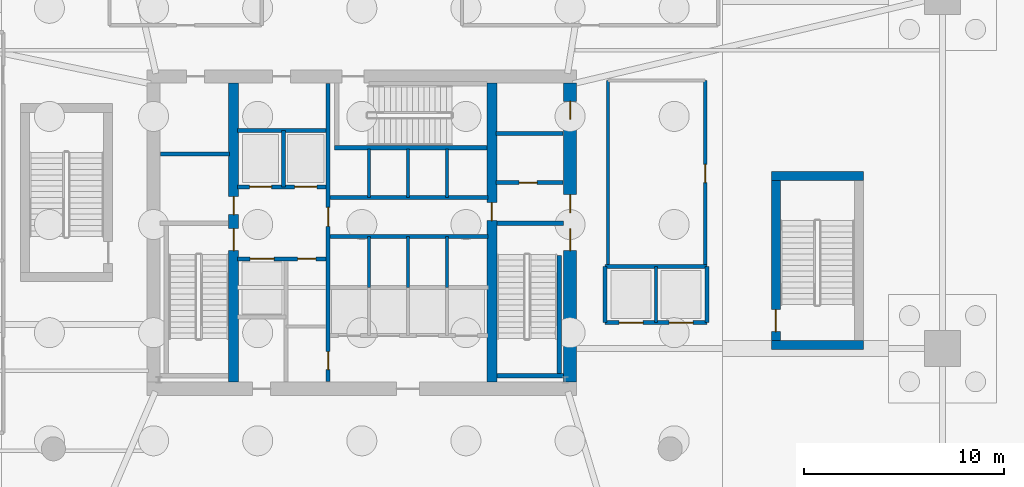
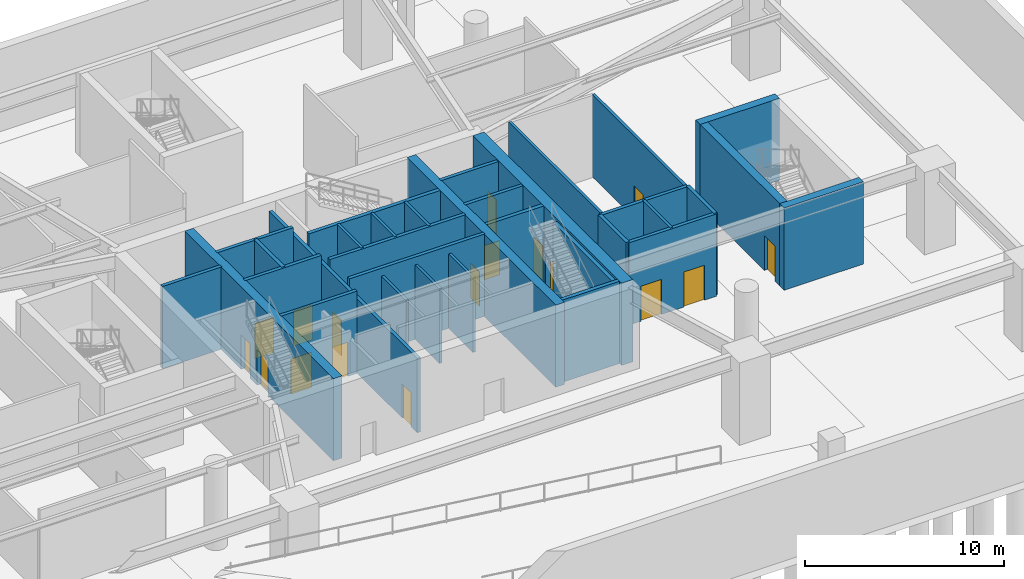
# One storey, part 6 of 11: 33 walls, 17 doors, 17 openings.
"""IFC4 building model written with IfcOpenShell, lengths in metres."""

from ifc_helpers import new_model, si_unit, direction, frame, frame_2d, origin, place, context, subcontext, project, spatial, rectangle, extrude, material, layer, layer_set, type_object, element, fill, save


model = new_model("IFC4")

# Units and contexts
model_context = context("Model", 3, precision=1e-05, world=origin(), true_north=direction((0.0, 1.0)))
body_context = subcontext(model_context, "Body", "Model", "MODEL_VIEW")
ifc_project = project(units=[si_unit("LENGTHUNIT", "METRE"), si_unit("AREAUNIT", "SQUARE_METRE"), si_unit("VOLUMEUNIT", "CUBIC_METRE"), si_unit("PLANEANGLEUNIT", "RADIAN"), si_unit("MASSUNIT", "GRAM", prefix="KILO")], contexts=[model_context])

# Site, building, storey
site_placement = place(None, origin())
site = spatial("IfcSite", under=ifc_project, at=site_placement, CompositionType="ELEMENT")
building_placement = place(site_placement, origin())
building = spatial("IfcBuilding", under=site, at=building_placement, Name="Qarnah Convention Tower", CompositionType="ELEMENT")
storey_placement = place(building_placement, frame((0.0, 0.0, -5.39990234375)))
storey = spatial("IfcBuildingStorey", under=building, at=storey_placement, Name="B1", CompositionType="ELEMENT", Elevation=-5.39990234375)

# Wall, openings, doors
ifc_material_1 = material(Name="Concrete C60/75", Category="concrete")
ifc_layer_1 = layer(ifc_material_1, 0.64990234375)
ifc_layer_set_1 = layer_set([ifc_layer_1], Name="Concrete C60/75")
wall_type_1 = type_object("IfcWallType", Name="WL-CORE-650", PredefinedType="SHEAR", material=ifc_layer_set_1)
wall_1_placement = place(storey_placement, frame((47.60009765625, 18.925048828125, 0.0), z_axis=(0.0, 0.0, 1.0), x_axis=(0.0, 1.0, 0.0)))
wall_1 = element("IfcWall", 1, at=wall_1_placement, inside=storey, type_object=wall_type_1, Name="B1 core east shear wall", PredefinedType="SHEAR", context=body_context, shape_type="SweptSolid", body=[
    extrude(rectangle(XDim=14.949951171875, YDim=0.64990234375, at=frame_2d((7.47509765625, 0.0))), origin(), (0.0, 0.0, 1.0), 5.0498046875),
])
opening_1_placement = place(wall_1_placement, frame((6.574951171875, 0.0, 0.0)))
opening_1 = element("IfcOpeningElement", 2, at=opening_1_placement, cuts=wall_1, Name="Opening D-B102", PredefinedType="OPENING", context=body_context, shape_type="SweptSolid", body=[
    extrude(rectangle(XDim=1.10009765625, YDim=2.14990234375, at=frame_2d((0.550048828125, 1.074951171875))), frame((0.0, 0.3349609375, 0.0), z_axis=(0.0, -1.0, 0.0), x_axis=(1.0, 0.0, 0.0)), (0.0, 0.0, 1.0), 0.669921875),
])
opening_2_placement = place(wall_1_placement, frame((8.47509765625, 0.0, 0.0)))
opening_2 = element("IfcOpeningElement", 3, at=opening_2_placement, cuts=wall_1, Name="Opening D-B106", PredefinedType="OPENING", context=body_context, shape_type="SweptSolid", body=[
    extrude(rectangle(XDim=0.89990234375, YDim=2.10009765625, at=frame_2d((0.449951171875, 1.050048828125))), frame((0.0, 0.3349609375, 0.0), z_axis=(0.0, -1.0, 0.0), x_axis=(1.0, 0.0, 0.0)), (0.0, 0.0, 1.0), 0.669921875),
])
opening_3_placement = place(wall_1_placement, frame((13.125, 0.0, 0.0)))
opening_3 = element("IfcOpeningElement", 4, at=opening_3_placement, cuts=wall_1, Name="Opening D-B112", PredefinedType="OPENING", context=body_context, shape_type="SweptSolid", body=[
    extrude(rectangle(XDim=0.89990234375, YDim=2.10009765625, at=frame_2d((0.449951171875, 1.050048828125))), frame((0.0, 0.3349609375, 0.0), z_axis=(0.0, -1.0, 0.0), x_axis=(1.0, 0.0, 0.0)), (0.0, 0.0, 1.0), 0.669921875),
])
ifc_material_2 = material(Name="Structural steel S355JR", Category="steel")
door_type_1 = type_object("IfcDoorType", Name="DT-RISER-900", OperationType="NOTDEFINED", PredefinedType="DOOR", material=ifc_material_2)
door_1_placement = place(opening_2_placement, origin())
door_1 = element("IfcDoor", 5, at=door_1_placement, inside=storey, type_object=door_type_1, Name="Door D-B106", OperationType="SINGLE_SWING_RIGHT", OverallHeight=2.10009765625, OverallWidth=0.89990234375, PredefinedType="DOOR", context=body_context, shape_type="SweptSolid", body=[
    extrude(rectangle(XDim=0.89990234375, YDim=2.10009765625, at=frame_2d((0.449951171875, 1.050048828125))), frame((0.0, 0.02490234375, 0.0), z_axis=(0.0, -1.0, 0.0), x_axis=(1.0, 0.0, 0.0)), (0.0, 0.0, 1.0), 0.050048828125),
])
fill(opening_2, door_1)
door_2_placement = place(opening_3_placement, origin())
door_2 = element("IfcDoor", 6, at=door_2_placement, inside=storey, type_object=door_type_1, Name="Door D-B112", OperationType="SINGLE_SWING_RIGHT", OverallHeight=2.10009765625, OverallWidth=0.89990234375, PredefinedType="DOOR", context=body_context, shape_type="SweptSolid", body=[
    extrude(rectangle(XDim=0.89990234375, YDim=2.10009765625, at=frame_2d((0.449951171875, 1.050048828125))), frame((0.0, 0.02490234375, 0.0), z_axis=(0.0, -1.0, 0.0), x_axis=(1.0, 0.0, 0.0)), (0.0, 0.0, 1.0), 0.050048828125),
])
fill(opening_3, door_2)
door_type_2 = type_object("IfcDoorType", Name="DT-STAIR-1100", OperationType="NOTDEFINED", PredefinedType="DOOR", material=ifc_material_2)
door_3_placement = place(opening_1_placement, origin())
door_3 = element("IfcDoor", 7, at=door_3_placement, inside=storey, type_object=door_type_2, Name="Door D-B102", OperationType="SINGLE_SWING_RIGHT", OverallHeight=2.14990234375, OverallWidth=1.10009765625, PredefinedType="DOOR", context=body_context, shape_type="SweptSolid", body=[
    extrude(rectangle(XDim=1.10009765625, YDim=2.14990234375, at=frame_2d((0.550048828125, 1.074951171875))), frame((0.0, 0.02490234375, 0.0), z_axis=(0.0, -1.0, 0.0), x_axis=(1.0, 0.0, 0.0)), (0.0, 0.0, 1.0), 0.050048828125),
])
fill(opening_1, door_3)

ifc_layer_2 = layer(ifc_material_1, 0.5)
ifc_layer_set_2 = layer_set([ifc_layer_2], Name="Concrete C60/75")
wall_type_2 = type_object("IfcWallType", Name="WL-CORE-INT-400", PredefinedType="SHEAR", material=ifc_layer_set_2)
wall_2_placement = place(storey_placement, frame((30.800048828125, 18.925048828125, 0.0), z_axis=(0.0, 0.0, 1.0), x_axis=(0.0, 1.0, 0.0)))
wall_2 = element("IfcWall", 8, at=wall_2_placement, inside=storey, type_object=wall_type_2, Name="B1 core west spine shear wall", PredefinedType="SHEAR", context=body_context, shape_type="SweptSolid", body=[
    extrude(rectangle(XDim=14.949951171875, YDim=0.5, at=frame_2d((7.47509765625, 0.0))), origin(), (0.0, 0.0, 1.0), 5.0498046875),
])
opening_4_placement = place(wall_2_placement, frame((6.574951171875, 0.0, 0.0)))
opening_4 = element("IfcOpeningElement", 9, at=opening_4_placement, cuts=wall_2, Name="Opening D-B101", PredefinedType="OPENING", context=body_context, shape_type="SweptSolid", body=[
    extrude(rectangle(XDim=1.10009765625, YDim=2.14990234375, at=frame_2d((0.550048828125, 1.074951171875))), frame((0.0, 0.260009765625, 0.0), z_axis=(0.0, -1.0, 0.0), x_axis=(1.0, 0.0, 0.0)), (0.0, 0.0, 1.0), 0.52001953125),
])
opening_5_placement = place(wall_2_placement, frame((8.375, 0.0, 0.0)))
opening_5 = element("IfcOpeningElement", 10, at=opening_5_placement, cuts=wall_2, Name="Opening D-B108", PredefinedType="OPENING", context=body_context, shape_type="SweptSolid", body=[
    extrude(rectangle(XDim=0.89990234375, YDim=2.10009765625, at=frame_2d((0.449951171875, 1.050048828125))), frame((0.0, 0.260009765625, 0.0), z_axis=(0.0, -1.0, 0.0), x_axis=(1.0, 0.0, 0.0)), (0.0, 0.0, 1.0), 0.52001953125),
])
door_4_placement = place(opening_5_placement, origin())
door_4 = element("IfcDoor", 11, at=door_4_placement, inside=storey, type_object=door_type_1, Name="Door D-B108", OperationType="SINGLE_SWING_RIGHT", OverallHeight=2.10009765625, OverallWidth=0.89990234375, PredefinedType="DOOR", context=body_context, shape_type="SweptSolid", body=[
    extrude(rectangle(XDim=0.89990234375, YDim=2.10009765625, at=frame_2d((0.449951171875, 1.050048828125))), frame((0.0, 0.02490234375, 0.0), z_axis=(0.0, -1.0, 0.0), x_axis=(1.0, 0.0, 0.0)), (0.0, 0.0, 1.0), 0.050048828125),
])
fill(opening_5, door_4)
door_5_placement = place(opening_4_placement, origin())
door_5 = element("IfcDoor", 12, at=door_5_placement, inside=storey, type_object=door_type_2, Name="Door D-B101", OperationType="SINGLE_SWING_LEFT", OverallHeight=2.14990234375, OverallWidth=1.10009765625, PredefinedType="DOOR", context=body_context, shape_type="SweptSolid", body=[
    extrude(rectangle(XDim=1.10009765625, YDim=2.14990234375, at=frame_2d((0.550048828125, 1.074951171875))), frame((0.0, 0.02490234375, 0.0), z_axis=(0.0, -1.0, 0.0), x_axis=(1.0, 0.0, 0.0)), (0.0, 0.0, 1.0), 0.050048828125),
])
fill(opening_4, door_5)

# Wall, opening, door
wall_3_placement = place(storey_placement, frame((43.699951171875, 18.925048828125, 0.0), z_axis=(0.0, 0.0, 1.0), x_axis=(0.0, 1.0, 0.0)))
wall_3 = element("IfcWall", 13, at=wall_3_placement, inside=storey, type_object=wall_type_2, Name="B1 core east spine shear wall", PredefinedType="SHEAR", context=body_context, shape_type="SweptSolid", body=[
    extrude(rectangle(XDim=14.949951171875, YDim=0.5, at=frame_2d((7.47509765625, 0.0))), origin(), (0.0, 0.0, 1.0), 5.0498046875),
])
opening_6_placement = place(wall_3_placement, frame((8.074951171875, 0.0, 0.0)))
opening_6 = element("IfcOpeningElement", 14, at=opening_6_placement, cuts=wall_3, Name="Opening D-B105", PredefinedType="OPENING", context=body_context, shape_type="SweptSolid", body=[
    extrude(rectangle(XDim=0.89990234375, YDim=2.10009765625, at=frame_2d((0.449951171875, 1.050048828125))), frame((0.0, 0.260009765625, 0.0), z_axis=(0.0, -1.0, 0.0), x_axis=(1.0, 0.0, 0.0)), (0.0, 0.0, 1.0), 0.52001953125),
])
door_6_placement = place(opening_6_placement, origin())
door_6 = element("IfcDoor", 15, at=door_6_placement, inside=storey, type_object=door_type_1, Name="Door D-B105", OperationType="SINGLE_SWING_LEFT", OverallHeight=2.10009765625, OverallWidth=0.89990234375, PredefinedType="DOOR", context=body_context, shape_type="SweptSolid", body=[
    extrude(rectangle(XDim=0.89990234375, YDim=2.10009765625, at=frame_2d((0.449951171875, 1.050048828125))), frame((0.0, 0.02490234375, 0.0), z_axis=(0.0, -1.0, 0.0), x_axis=(1.0, 0.0, 0.0)), (0.0, 0.0, 1.0), 0.050048828125),
])
fill(opening_6, door_6)

# Wall
ifc_material_3 = material(Name="Concrete C45/55", Category="concrete")
ifc_layer_3 = layer(ifc_material_3, 0.199951171875)
ifc_layer_set_3 = layer_set([ifc_layer_3], Name="Concrete C45/55")
wall_type_3 = type_object("IfcWallType", Name="WL-CORE-PART-200", PredefinedType="SOLIDWALL", material=ifc_layer_set_3)
wall_4_placement = place(storey_placement, frame((27.14990234375, 30.320068359375, 0.0), z_axis=(0.0, 0.0, 1.0), x_axis=(1.0, 0.0, 0.0)))
element("IfcWall", 16, at=wall_4_placement, inside=storey, type_object=wall_type_3, Name="B1 interior wall IW-B1-ELRN", PredefinedType="SOLIDWALL", context=body_context, shape_type="SweptSolid", body=[
    extrude(rectangle(XDim=3.4501953125, YDim=0.199951171875, at=frame_2d((1.72509765625, 0.0))), origin(), (0.0, 0.0, 1.0), 5.0498046875),
])

# Wall, opening, door
wall_5_placement = place(storey_placement, frame((43.89990234375, 28.89990234375, 0.0), z_axis=(0.0, 0.0, 1.0), x_axis=(1.0, 0.0, 0.0)))
wall_5 = element("IfcWall", 17, at=wall_5_placement, inside=storey, type_object=wall_type_3, Name="B1 interior wall IW-B1-EVSTN", PredefinedType="SOLIDWALL", context=body_context, shape_type="SweptSolid", body=[
    extrude(rectangle(XDim=3.35009765625, YDim=0.199951171875, at=frame_2d((1.675048828125, 0.0))), origin(), (0.0, 0.0, 1.0), 5.0498046875),
])
opening_7_placement = place(wall_5_placement, frame((1.14990234375, 0.0, 0.0)))
opening_7 = element("IfcOpeningElement", 18, at=opening_7_placement, cuts=wall_5, Name="Opening D-B111", PredefinedType="OPENING", context=body_context, shape_type="SweptSolid", body=[
    extrude(rectangle(XDim=0.89990234375, YDim=2.10009765625, at=frame_2d((0.449951171875, 1.050048828125))), frame((0.0, 0.10986328125, 0.0), z_axis=(0.0, -1.0, 0.0), x_axis=(1.0, 0.0, 0.0)), (0.0, 0.0, 1.0), 0.219970703125),
])
door_7_placement = place(opening_7_placement, origin())
door_7 = element("IfcDoor", 19, at=door_7_placement, inside=storey, type_object=door_type_1, Name="Door D-B111", OperationType="SINGLE_SWING_LEFT", OverallHeight=2.10009765625, OverallWidth=0.89990234375, PredefinedType="DOOR", context=body_context, shape_type="SweptSolid", body=[
    extrude(rectangle(XDim=0.89990234375, YDim=2.10009765625, at=frame_2d((0.449951171875, 1.050048828125))), frame((0.0, 0.02490234375, 0.0), z_axis=(0.0, -1.0, 0.0), x_axis=(1.0, 0.0, 0.0)), (0.0, 0.0, 1.0), 0.050048828125),
])
fill(opening_7, door_7)

# Wall
wall_6_placement = place(storey_placement, frame((43.89990234375, 31.35009765625, 0.0), z_axis=(0.0, 0.0, 1.0), x_axis=(1.0, 0.0, 0.0)))
element("IfcWall", 20, at=wall_6_placement, inside=storey, type_object=wall_type_3, Name="B1 interior wall IW-B1-WTRN", PredefinedType="SOLIDWALL", context=body_context, shape_type="SweptSolid", body=[
    extrude(rectangle(XDim=3.35009765625, YDim=0.199951171875, at=frame_2d((1.675048828125, 0.0))), origin(), (0.0, 0.0, 1.0), 5.0498046875),
])

# Wall, openings, doors
wall_7_placement = place(storey_placement, frame((35.52001953125, 18.949951171875, 0.0), z_axis=(0.0, 0.0, 1.0), x_axis=(0.0, 1.0, 0.0)))
wall_7 = element("IfcWall", 21, at=wall_7_placement, inside=storey, type_object=wall_type_3, Name="B1 interior wall IW-B1-CSP", PredefinedType="SOLIDWALL", context=body_context, shape_type="SweptSolid", body=[
    extrude(rectangle(XDim=14.900146484375, YDim=0.199951171875, at=frame_2d((7.4501953125, 0.0))), origin(), (0.0, 0.0, 1.0), 4.57080078125),
])
opening_8_placement = place(wall_7_placement, frame((7.7548828125, 0.0, 0.0)))
opening_8 = element("IfcOpeningElement", 22, at=opening_8_placement, cuts=wall_7, Name="Opening D-B104", PredefinedType="OPENING", context=body_context, shape_type="SweptSolid", body=[
    extrude(rectangle(XDim=0.949951171875, YDim=2.14990234375, at=frame_2d((0.47509765625, 1.074951171875))), frame((0.0, 0.10986328125, 0.0), z_axis=(0.0, -1.0, 0.0), x_axis=(1.0, 0.0, 0.0)), (0.0, 0.0, 1.0), 0.219970703125),
])
opening_9_placement = place(wall_7_placement, frame((0.60009765625, 0.0, 0.0)))
opening_9 = element("IfcOpeningElement", 23, at=opening_9_placement, cuts=wall_7, Name="Opening D-B114", PredefinedType="OPENING", context=body_context, shape_type="SweptSolid", body=[
    extrude(rectangle(XDim=0.89990234375, YDim=2.10009765625, at=frame_2d((0.449951171875, 1.050048828125))), frame((0.0, 0.10986328125, 0.0), z_axis=(0.0, -1.0, 0.0), x_axis=(1.0, 0.0, 0.0)), (0.0, 0.0, 1.0), 0.219970703125),
])
ifc_material_4 = material(Name="Oak timber veneer", Category="wood")
door_type_3 = type_object("IfcDoorType", Name="DT-HOTEL-950", OperationType="NOTDEFINED", PredefinedType="DOOR", material=ifc_material_4)
door_8_placement = place(opening_8_placement, origin())
door_8 = element("IfcDoor", 24, at=door_8_placement, inside=storey, type_object=door_type_3, Name="Door D-B104", OperationType="SINGLE_SWING_RIGHT", OverallHeight=2.14990234375, OverallWidth=0.949951171875, PredefinedType="DOOR", context=body_context, shape_type="SweptSolid", body=[
    extrude(rectangle(XDim=0.949951171875, YDim=2.14990234375, at=frame_2d((0.47509765625, 1.074951171875))), frame((0.0, 0.02490234375, 0.0), z_axis=(0.0, -1.0, 0.0), x_axis=(1.0, 0.0, 0.0)), (0.0, 0.0, 1.0), 0.050048828125),
])
fill(opening_8, door_8)
door_9_placement = place(opening_9_placement, origin())
door_9 = element("IfcDoor", 25, at=door_9_placement, inside=storey, type_object=door_type_1, Name="Door D-B114", OperationType="SINGLE_SWING_RIGHT", OverallHeight=2.10009765625, OverallWidth=0.89990234375, PredefinedType="DOOR", context=body_context, shape_type="SweptSolid", body=[
    extrude(rectangle(XDim=0.89990234375, YDim=2.10009765625, at=frame_2d((0.449951171875, 1.050048828125))), frame((0.0, 0.02490234375, 0.0), z_axis=(0.0, -1.0, 0.0), x_axis=(1.0, 0.0, 0.0)), (0.0, 0.0, 1.0), 0.050048828125),
])
fill(opening_9, door_9)

wall_8_placement = place(storey_placement, frame((31.0, 28.679931640625, 0.0), z_axis=(0.0, 0.0, 1.0), x_axis=(1.0, 0.0, 0.0)))
wall_8 = element("IfcWall", 26, at=wall_8_placement, inside=storey, type_object=wall_type_3, Name="B1 interior wall IW-B1-FFLS", PredefinedType="SOLIDWALL", context=body_context, shape_type="SweptSolid", body=[
    extrude(rectangle(XDim=4.419921875, YDim=0.199951171875, at=frame_2d((2.2099609375, 0.0))), origin(), (0.0, 0.0, 1.0), 5.0498046875),
])
opening_10_placement = place(wall_8_placement, frame((0.60009765625, 0.0, 0.0)))
opening_10 = element("IfcOpeningElement", 27, at=opening_10_placement, cuts=wall_8, Name="Opening LD-B101", PredefinedType="OPENING", context=body_context, shape_type="SweptSolid", body=[
    extrude(rectangle(XDim=1.10009765625, YDim=2.14990234375, at=frame_2d((0.550048828125, 1.074951171875))), frame((0.0, 0.10986328125, 0.0), z_axis=(0.0, -1.0, 0.0), x_axis=(1.0, 0.0, 0.0)), (0.0, 0.0, 1.0), 0.219970703125),
])
opening_11_placement = place(wall_8_placement, frame((2.85009765625, 0.0, 0.0)))
opening_11 = element("IfcOpeningElement", 28, at=opening_11_placement, cuts=wall_8, Name="Opening LD-B102", PredefinedType="OPENING", context=body_context, shape_type="SweptSolid", body=[
    extrude(rectangle(XDim=1.10009765625, YDim=2.14990234375, at=frame_2d((0.550048828125, 1.074951171875))), frame((0.0, 0.10986328125, 0.0), z_axis=(0.0, -1.0, 0.0), x_axis=(1.0, 0.0, 0.0)), (0.0, 0.0, 1.0), 0.219970703125),
])
door_type_4 = type_object("IfcDoorType", Name="DT-LIFT-1100", OperationType="SLIDING_TO_LEFT", PredefinedType="DOOR", material=ifc_material_2)
door_10_placement = place(opening_10_placement, origin())
door_10 = element("IfcDoor", 29, at=door_10_placement, inside=storey, type_object=door_type_4, Name="Door LD-B101", OperationType="SLIDING_TO_LEFT", OverallHeight=2.14990234375, OverallWidth=1.10009765625, PredefinedType="DOOR", context=body_context, shape_type="SweptSolid", body=[
    extrude(rectangle(XDim=1.10009765625, YDim=2.14990234375, at=frame_2d((0.550048828125, 1.074951171875))), frame((0.0, 0.02490234375, 0.0), z_axis=(0.0, -1.0, 0.0), x_axis=(1.0, 0.0, 0.0)), (0.0, 0.0, 1.0), 0.050048828125),
])
fill(opening_10, door_10)
door_11_placement = place(opening_11_placement, origin())
door_11 = element("IfcDoor", 30, at=door_11_placement, inside=storey, type_object=door_type_4, Name="Door LD-B102", OperationType="SLIDING_TO_LEFT", OverallHeight=2.14990234375, OverallWidth=1.10009765625, PredefinedType="DOOR", context=body_context, shape_type="SweptSolid", body=[
    extrude(rectangle(XDim=1.10009765625, YDim=2.14990234375, at=frame_2d((0.550048828125, 1.074951171875))), frame((0.0, 0.02490234375, 0.0), z_axis=(0.0, -1.0, 0.0), x_axis=(1.0, 0.0, 0.0)), (0.0, 0.0, 1.0), 0.050048828125),
])
fill(opening_11, door_11)

# Walls
wall_9_placement = place(storey_placement, frame((31.0, 31.5, 0.0), z_axis=(0.0, 0.0, 1.0), x_axis=(1.0, 0.0, 0.0)))
element("IfcWall", 31, at=wall_9_placement, inside=storey, type_object=wall_type_3, Name="B1 interior wall IW-B1-FFLN", PredefinedType="SOLIDWALL", context=body_context, shape_type="SweptSolid", body=[
    extrude(rectangle(XDim=4.419921875, YDim=0.199951171875, at=frame_2d((2.2099609375, 0.0))), origin(), (0.0, 0.0, 1.0), 5.0498046875),
])
wall_10_placement = place(storey_placement, frame((33.280029296875, 28.679931640625, 0.0), z_axis=(0.0, 0.0, 1.0), x_axis=(0.0, 1.0, 0.0)))
element("IfcWall", 32, at=wall_10_placement, inside=storey, type_object=wall_type_3, Name="B1 interior wall IW-B1-FFLM", PredefinedType="SOLIDWALL", context=body_context, shape_type="SweptSolid", body=[
    extrude(rectangle(XDim=2.820068359375, YDim=0.199951171875, at=frame_2d((1.41015625, 0.0))), origin(), (0.0, 0.0, 1.0), 5.0498046875),
])

# Wall, openings, doors
wall_11_placement = place(storey_placement, frame((31.0, 25.080078125, 0.0), z_axis=(0.0, 0.0, 1.0), x_axis=(1.0, 0.0, 0.0)))
wall_11 = element("IfcWall", 33, at=wall_11_placement, inside=storey, type_object=wall_type_3, Name="B1 interior wall IW-B1-FFLBS", PredefinedType="SOLIDWALL", context=body_context, shape_type="SweptSolid", body=[
    extrude(rectangle(XDim=4.419921875, YDim=0.199951171875, at=frame_2d((2.2099609375, 0.0))), origin(), (0.0, 0.0, 1.0), 5.0498046875),
])
opening_12_placement = place(wall_11_placement, frame((3.0, 0.0, 0.0)))
opening_12 = element("IfcOpeningElement", 34, at=opening_12_placement, cuts=wall_11, Name="Opening D-B115", PredefinedType="OPENING", context=body_context, shape_type="SweptSolid", body=[
    extrude(rectangle(XDim=0.89990234375, YDim=2.10009765625, at=frame_2d((0.449951171875, 1.050048828125))), frame((0.0, 0.10986328125, 0.0), z_axis=(0.0, -1.0, 0.0), x_axis=(1.0, 0.0, 0.0)), (0.0, 0.0, 1.0), 0.219970703125),
])
opening_13_placement = place(wall_11_placement, frame((0.6201171875, 0.0, 0.0)))
opening_13 = element("IfcOpeningElement", 35, at=opening_13_placement, cuts=wall_11, Name="Opening LD-B103", PredefinedType="OPENING", context=body_context, shape_type="SweptSolid", body=[
    extrude(rectangle(XDim=1.199951171875, YDim=2.14990234375, at=frame_2d((0.60009765625, 1.074951171875))), frame((0.0, 0.10986328125, 0.0), z_axis=(0.0, -1.0, 0.0), x_axis=(1.0, 0.0, 0.0)), (0.0, 0.0, 1.0), 0.219970703125),
])
door_type_5 = type_object("IfcDoorType", Name="DT-LIFT-1200", OperationType="SLIDING_TO_LEFT", PredefinedType="DOOR", material=ifc_material_2)
door_12_placement = place(opening_13_placement, origin())
door_12 = element("IfcDoor", 36, at=door_12_placement, inside=storey, type_object=door_type_5, Name="Door LD-B103", OperationType="SLIDING_TO_LEFT", OverallHeight=2.14990234375, OverallWidth=1.199951171875, PredefinedType="DOOR", context=body_context, shape_type="SweptSolid", body=[
    extrude(rectangle(XDim=1.199951171875, YDim=2.14990234375, at=frame_2d((0.60009765625, 1.074951171875))), frame((0.0, 0.02490234375, 0.0), z_axis=(0.0, -1.0, 0.0), x_axis=(1.0, 0.0, 0.0)), (0.0, 0.0, 1.0), 0.050048828125),
])
fill(opening_13, door_12)
door_13_placement = place(opening_12_placement, origin())
door_13 = element("IfcDoor", 37, at=door_13_placement, inside=storey, type_object=door_type_1, Name="Door D-B115", OperationType="SINGLE_SWING_LEFT", OverallHeight=2.10009765625, OverallWidth=0.89990234375, PredefinedType="DOOR", context=body_context, shape_type="SweptSolid", body=[
    extrude(rectangle(XDim=0.89990234375, YDim=2.10009765625, at=frame_2d((0.449951171875, 1.050048828125))), frame((0.0, 0.02490234375, 0.0), z_axis=(0.0, -1.0, 0.0), x_axis=(1.0, 0.0, 0.0)), (0.0, 0.0, 1.0), 0.050048828125),
])
fill(opening_12, door_13)

# Walls
for number, where, z_axis, x_axis, name in (
    (38, (35.6201171875, 28.14990234375, 0.0), (0.0, 0.0, 1.0), (1.0, 0.0, 0.0), "B1 interior wall IW-B1-PHS"),
    (39, (35.6201171875, 26.199951171875, 0.0), (0.0, 0.0, 1.0), (1.0, 0.0, 0.0), "B1 interior wall IW-B1-PMN"),
):
    element("IfcWall", number, at=place(storey_placement, frame(where, z_axis=z_axis, x_axis=x_axis)), inside=storey, type_object=wall_type_3, Name=name, PredefinedType="SOLIDWALL", context=body_context, shape_type="SweptSolid", body=[
        extrude(rectangle(XDim=7.8798828125, YDim=0.199951171875, at=frame_2d((3.93994140625, 0.0))), origin(), (0.0, 0.0, 1.0), 5.0498046875),
    ])
wall_12_placement = place(storey_placement, frame((49.35009765625, 24.699951171875, 0.0), z_axis=(0.0, 0.0, 1.0), x_axis=(1.0, 0.0, 0.0)))
element("IfcWall", 40, at=wall_12_placement, inside=storey, type_object=wall_type_3, Name="B1 interior wall IW-B1-PSN", PredefinedType="SOLIDWALL", context=body_context, shape_type="SweptSolid", body=[
    extrude(rectangle(XDim=5.099853515625, YDim=0.199951171875, at=frame_2d((2.5498046875, 0.0))), origin(), (0.0, 0.0, 1.0), 5.0498046875),
])

# Wall, openings, doors
wall_13_placement = place(storey_placement, frame((49.35009765625, 21.89990234375, 0.0), z_axis=(0.0, 0.0, 1.0), x_axis=(1.0, 0.0, 0.0)))
wall_13 = element("IfcWall", 41, at=wall_13_placement, inside=storey, type_object=wall_type_3, Name="B1 interior wall IW-B1-PSS", PredefinedType="SOLIDWALL", context=body_context, shape_type="SweptSolid", body=[
    extrude(rectangle(XDim=5.099853515625, YDim=0.199951171875, at=frame_2d((2.5498046875, 0.0))), origin(), (0.0, 0.0, 1.0), 5.0498046875),
])
opening_14_placement = place(wall_13_placement, frame((0.699951171875, 0.0, 0.0)))
opening_14 = element("IfcOpeningElement", 42, at=opening_14_placement, cuts=wall_13, Name="Opening LD-B108", PredefinedType="OPENING", context=body_context, shape_type="SweptSolid", body=[
    extrude(rectangle(XDim=1.199951171875, YDim=2.14990234375, at=frame_2d((0.60009765625, 1.074951171875))), frame((0.0, 0.10986328125, 0.0), z_axis=(0.0, -1.0, 0.0), x_axis=(1.0, 0.0, 0.0)), (0.0, 0.0, 1.0), 0.219970703125),
])
opening_15_placement = place(wall_13_placement, frame((3.199951171875, 0.0, 0.0)))
opening_15 = element("IfcOpeningElement", 43, at=opening_15_placement, cuts=wall_13, Name="Opening LD-B109", PredefinedType="OPENING", context=body_context, shape_type="SweptSolid", body=[
    extrude(rectangle(XDim=1.199951171875, YDim=2.14990234375, at=frame_2d((0.60009765625, 1.074951171875))), frame((0.0, 0.10986328125, 0.0), z_axis=(0.0, -1.0, 0.0), x_axis=(1.0, 0.0, 0.0)), (0.0, 0.0, 1.0), 0.219970703125),
])
door_14_placement = place(opening_14_placement, origin())
door_14 = element("IfcDoor", 44, at=door_14_placement, inside=storey, type_object=door_type_5, Name="Door LD-B108", OperationType="SLIDING_TO_LEFT", OverallHeight=2.14990234375, OverallWidth=1.199951171875, PredefinedType="DOOR", context=body_context, shape_type="SweptSolid", body=[
    extrude(rectangle(XDim=1.199951171875, YDim=2.14990234375, at=frame_2d((0.60009765625, 1.074951171875))), frame((0.0, 0.02490234375, 0.0), z_axis=(0.0, -1.0, 0.0), x_axis=(1.0, 0.0, 0.0)), (0.0, 0.0, 1.0), 0.050048828125),
])
fill(opening_14, door_14)
door_15_placement = place(opening_15_placement, origin())
door_15 = element("IfcDoor", 45, at=door_15_placement, inside=storey, type_object=door_type_5, Name="Door LD-B109", OperationType="SLIDING_TO_LEFT", OverallHeight=2.14990234375, OverallWidth=1.199951171875, PredefinedType="DOOR", context=body_context, shape_type="SweptSolid", body=[
    extrude(rectangle(XDim=1.199951171875, YDim=2.14990234375, at=frame_2d((0.60009765625, 1.074951171875))), frame((0.0, 0.02490234375, 0.0), z_axis=(0.0, -1.0, 0.0), x_axis=(1.0, 0.0, 0.0)), (0.0, 0.0, 1.0), 0.050048828125),
])
fill(opening_15, door_15)

# Walls
for number, where, z_axis, x_axis, name in (
    (46, (49.35009765625, 21.89990234375, 0.0), (0.0, 0.0, 1.0), (0.0, 1.0, 0.0), "B1 interior wall IW-B1-PSW"),
    (47, (54.449951171875, 21.89990234375, 0.0), (0.0, 0.0, 1.0), (0.0, 1.0, 0.0), "B1 interior wall IW-B1-PSE"),
):
    element("IfcWall", number, at=place(storey_placement, frame(where, z_axis=z_axis, x_axis=x_axis)), inside=storey, type_object=wall_type_3, Name=name, PredefinedType="SOLIDWALL", context=body_context, shape_type="SweptSolid", body=[
        extrude(rectangle(XDim=2.800048828125, YDim=0.199951171875, at=frame_2d((1.39990234375, 0.0))), origin(), (0.0, 0.0, 1.0), 5.0498046875),
    ])
ifc_layer_4 = layer(ifc_material_1, 0.219970703125)
ifc_layer_set_4 = layer_set([ifc_layer_4], Name="Concrete C60/75")
wall_type_4 = type_object("IfcWallType", Name="WL-CORE-STAIR-220", PredefinedType="SHEAR", material=ifc_layer_set_4)
wall_14_placement = place(storey_placement, frame((43.949951171875, 26.860107421875, 0.0), z_axis=(0.0, 0.0, 1.0), x_axis=(1.0, 0.0, 0.0)))
element("IfcWall", 48, at=wall_14_placement, inside=storey, type_object=wall_type_4, Name="B1 stair shaft shear wall SW-B1-ST2N", PredefinedType="SHEAR", context=body_context, shape_type="SweptSolid", body=[
    extrude(rectangle(XDim=3.324951171875, YDim=0.219970703125, at=frame_2d((1.66259765625, 0.0))), origin(), (0.0, 0.0, 1.0), 5.0498046875),
])
wall_15_placement = place(storey_placement, frame((47.06005859375, 19.35009765625, 0.0), z_axis=(0.0, 0.0, 1.0), x_axis=(0.0, 1.0, 0.0)))
element("IfcWall", 49, at=wall_15_placement, inside=storey, type_object=wall_type_4, Name="B1 stair shaft shear wall SW-B1-ST2E", PredefinedType="SHEAR", context=body_context, shape_type="SweptSolid", body=[
    extrude(rectangle(XDim=5.89990234375, YDim=0.219970703125, at=frame_2d((2.949951171875, 0.0))), origin(), (0.0, 0.0, 1.0), 5.0498046875),
])
wall_16_placement = place(storey_placement, frame((43.949951171875, 19.239990234375, 0.0), z_axis=(0.0, 0.0, 1.0), x_axis=(1.0, 0.0, 0.0)))
element("IfcWall", 50, at=wall_16_placement, inside=storey, type_object=wall_type_4, Name="B1 stair shaft shear wall SW-B1-ST2S", PredefinedType="SHEAR", context=body_context, shape_type="SweptSolid", body=[
    extrude(rectangle(XDim=3.324951171875, YDim=0.219970703125, at=frame_2d((1.66259765625, 0.0))), origin(), (0.0, 0.0, 1.0), 5.0498046875),
])
wall_17_placement = place(storey_placement, frame((35.840087890625, 30.639892578125, 0.0), z_axis=(0.0, 0.0, 1.0), x_axis=(1.0, 0.0, 0.0)))
element("IfcWall", 51, at=wall_17_placement, inside=storey, type_object=wall_type_4, Name="B1 stair shaft shear wall SW-B1-ST3S", PredefinedType="SHEAR", context=body_context, shape_type="SweptSolid", body=[
    extrude(rectangle(XDim=7.60986328125, YDim=0.219970703125, at=frame_2d((3.804931640625, 0.0))), origin(), (0.0, 0.0, 1.0), 5.0498046875),
])

# Wall, opening, door
ifc_material_5 = material(Name="Gypsum partition board")
ifc_layer_5 = layer(ifc_material_5, 0.159912109375)
ifc_layer_set_5 = layer_set([ifc_layer_5], Name="Gypsum partition board")
wall_type_5 = type_object("IfcWallType", Name="WL-CORR-160", PredefinedType="PARTITIONING", material=ifc_layer_set_5)
wall_18_placement = place(storey_placement, frame((54.35009765625, 24.699951171875, 0.0), z_axis=(0.0, 0.0, 1.0), x_axis=(0.0, 1.0, 0.0)))
wall_18 = element("IfcWall", 52, at=wall_18_placement, inside=storey, type_object=wall_type_5, Name="B1 interior wall IW-B1-R-08", PredefinedType="PARTITIONING", context=body_context, shape_type="SweptSolid", body=[
    extrude(rectangle(XDim=9.300048828125, YDim=0.159912109375, at=frame_2d((4.64990234375, 0.0))), origin(), (0.0, 0.0, 1.0), 5.0498046875),
])
opening_16_placement = place(wall_18_placement, frame((4.199951171875, 0.0, 0.0)))
opening_16 = element("IfcOpeningElement", 53, at=opening_16_placement, cuts=wall_18, Name="Opening D-B121", PredefinedType="OPENING", context=body_context, shape_type="SweptSolid", body=[
    extrude(rectangle(XDim=0.89990234375, YDim=2.0, at=frame_2d((0.449951171875, 1.0))), frame((0.0, 0.08984375, 0.0), z_axis=(0.0, -1.0, 0.0), x_axis=(1.0, 0.0, 0.0)), (0.0, 0.0, 1.0), 0.179931640625),
])
door_type_6 = type_object("IfcDoorType", Name="DT-PLANT-900", OperationType="NOTDEFINED", PredefinedType="DOOR", material=ifc_material_2)
door_16_placement = place(opening_16_placement, origin())
door_16 = element("IfcDoor", 54, at=door_16_placement, inside=storey, type_object=door_type_6, Name="Door D-B121", OperationType="SINGLE_SWING_LEFT", OverallHeight=2.0, OverallWidth=0.89990234375, PredefinedType="DOOR", context=body_context, shape_type="SweptSolid", body=[
    extrude(rectangle(XDim=0.89990234375, YDim=2.0, at=frame_2d((0.449951171875, 1.0))), frame((0.0, 0.02490234375, 0.0), z_axis=(0.0, -1.0, 0.0), x_axis=(1.0, 0.0, 0.0)), (0.0, 0.0, 1.0), 0.050048828125),
])
fill(opening_16, door_16)

# Walls
wall_19_placement = place(storey_placement, frame((49.5, 34.0, 0.0), z_axis=(0.0, 0.0, 1.0), x_axis=(0.0, -1.0, 0.0)))
element("IfcWall", 55, at=wall_19_placement, inside=storey, type_object=wall_type_5, Name="B1 interior wall IW-B1-R-10", PredefinedType="PARTITIONING", context=body_context, shape_type="SweptSolid", body=[
    extrude(rectangle(XDim=9.300048828125, YDim=0.159912109375, at=frame_2d((4.64990234375, 0.0))), origin(), (0.0, 0.0, 1.0), 5.0498046875),
])
ifc_layer_6 = layer(ifc_material_1, 0.449951171875)
ifc_layer_set_6 = layer_set([ifc_layer_6], Name="Concrete C60/75")
wall_type_6 = type_object("IfcWallType", Name="WL-POD-CORE-450", PredefinedType="SHEAR", material=ifc_layer_set_6)
for number, where, z_axis, x_axis, name in (
    (56, (57.64990234375, 20.77490234375, 0.0), (0.0, 0.0, 1.0), (1.0, 0.0, 0.0), "B1 podium stair ST-4 south wall"),
    (57, (57.64990234375, 29.22509765625, 0.0), (0.0, 0.0, 1.0), (1.0, 0.0, 0.0), "B1 podium stair ST-4 north wall"),
):
    element("IfcWall", number, at=place(storey_placement, frame(where, z_axis=z_axis, x_axis=x_axis)), inside=storey, type_object=wall_type_6, Name=name, PredefinedType="SHEAR", context=body_context, shape_type="SweptSolid", body=[
        extrude(rectangle(XDim=4.60009765625, YDim=0.449951171875, at=frame_2d((2.300048828125, 0.0))), origin(), (0.0, 0.0, 1.0), 5.0498046875),
    ])

# Wall, opening, door
wall_20_placement = place(storey_placement, frame((57.875, 21.0, 0.0), z_axis=(0.0, 0.0, 1.0), x_axis=(0.0, 1.0, 0.0)))
wall_20 = element("IfcWall", 58, at=wall_20_placement, inside=storey, type_object=wall_type_6, Name="B1 podium stair ST-4 west wall", PredefinedType="SHEAR", context=body_context, shape_type="SweptSolid", body=[
    extrude(rectangle(XDim=8.0, YDim=0.449951171875, at=frame_2d((4.0, 0.0))), origin(), (0.0, 0.0, 1.0), 5.0498046875),
])
opening_17_placement = place(wall_20_placement, frame((0.449951171875, 0.0, 0.0)))
opening_17 = element("IfcOpeningElement", 59, at=opening_17_placement, cuts=wall_20, Name="Opening D-B116", PredefinedType="OPENING", context=body_context, shape_type="SweptSolid", body=[
    extrude(rectangle(XDim=1.10009765625, YDim=2.14990234375, at=frame_2d((0.550048828125, 1.074951171875))), frame((0.0, 0.23486328125, 0.0), z_axis=(0.0, -1.0, 0.0), x_axis=(1.0, 0.0, 0.0)), (0.0, 0.0, 1.0), 0.469970703125),
])
door_17_placement = place(opening_17_placement, origin())
door_17 = element("IfcDoor", 60, at=door_17_placement, inside=storey, type_object=door_type_2, Name="Door D-B116", OperationType="SINGLE_SWING_RIGHT", OverallHeight=2.14990234375, OverallWidth=1.10009765625, PredefinedType="DOOR", context=body_context, shape_type="SweptSolid", body=[
    extrude(rectangle(XDim=1.10009765625, YDim=2.14990234375, at=frame_2d((0.550048828125, 1.074951171875))), frame((0.0, 0.02490234375, 0.0), z_axis=(0.0, -1.0, 0.0), x_axis=(1.0, 0.0, 0.0)), (0.0, 0.0, 1.0), 0.050048828125),
])
fill(opening_17, door_17)

# Walls
ifc_layer_7 = layer(ifc_material_5, 0.14990234375)
ifc_layer_set_7 = layer_set([ifc_layer_7], Name="Gypsum partition board")
wall_type_7 = type_object("IfcWallType", Name="WL-SUITE-150", PredefinedType="PARTITIONING", material=ifc_layer_set_7)
for number, where, z_axis, x_axis, name in (
    (61, (37.550048828125, 28.14990234375, 0.0), (0.0, 0.0, 1.0), (0.0, 1.0, 0.0), "B1 interior wall IW-B1-PHD1"),
    (62, (39.5, 28.14990234375, 0.0), (0.0, 0.0, 1.0), (0.0, 1.0, 0.0), "B1 interior wall IW-B1-PHD2"),
    (63, (41.449951171875, 28.14990234375, 0.0), (0.0, 0.0, 1.0), (0.0, 1.0, 0.0), "B1 interior wall IW-B1-PHD3"),
):
    element("IfcWall", number, at=place(storey_placement, frame(where, z_axis=z_axis, x_axis=x_axis)), inside=storey, type_object=wall_type_7, Name=name, PredefinedType="PARTITIONING", context=body_context, shape_type="SweptSolid", body=[
        extrude(rectangle(XDim=2.43017578125, YDim=0.14990234375, at=frame_2d((1.215087890625, 0.0))), origin(), (0.0, 0.0, 1.0), 5.0498046875),
    ])
for number, where, z_axis, x_axis, name in (
    (64, (37.550048828125, 23.64990234375, 0.0), (0.0, 0.0, 1.0), (0.0, 1.0, 0.0), "B1 interior wall IW-B1-PMD1"),
    (65, (39.5, 23.64990234375, 0.0), (0.0, 0.0, 1.0), (0.0, 1.0, 0.0), "B1 interior wall IW-B1-PMD2"),
    (66, (41.449951171875, 23.64990234375, 0.0), (0.0, 0.0, 1.0), (0.0, 1.0, 0.0), "B1 interior wall IW-B1-PMD3"),
):
    element("IfcWall", number, at=place(storey_placement, frame(where, z_axis=z_axis, x_axis=x_axis)), inside=storey, type_object=wall_type_7, Name=name, PredefinedType="PARTITIONING", context=body_context, shape_type="SweptSolid", body=[
        extrude(rectangle(XDim=2.550048828125, YDim=0.14990234375, at=frame_2d((1.27490234375, 0.0))), origin(), (0.0, 0.0, 1.0), 4.57080078125),
    ])
wall_21_placement = place(storey_placement, frame((51.89990234375, 21.89990234375, 0.0), z_axis=(0.0, 0.0, 1.0), x_axis=(0.0, 1.0, 0.0)))
element("IfcWall", 67, at=wall_21_placement, inside=storey, type_object=wall_type_7, Name="B1 interior wall IW-B1-PSM", PredefinedType="PARTITIONING", context=body_context, shape_type="SweptSolid", body=[
    extrude(rectangle(XDim=2.800048828125, YDim=0.14990234375, at=frame_2d((1.39990234375, 0.0))), origin(), (0.0, 0.0, 1.0), 5.0498046875),
])

save(model, "model.ifc")
